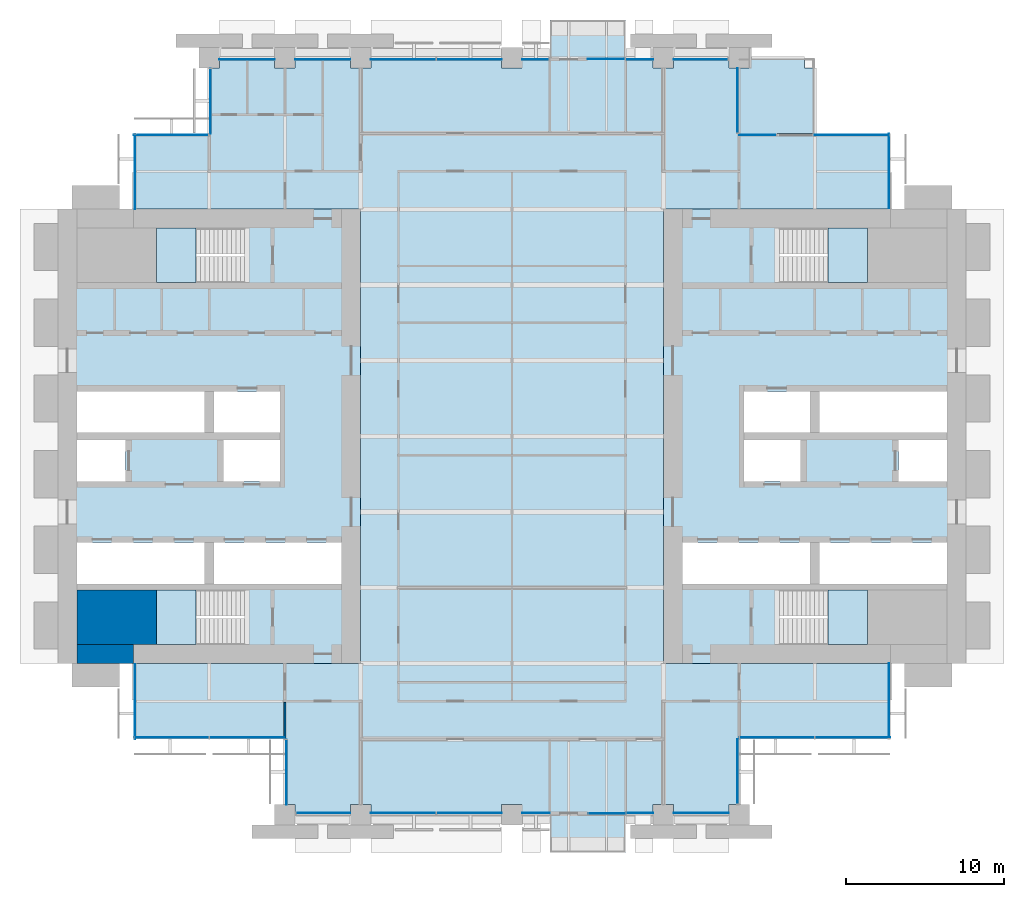
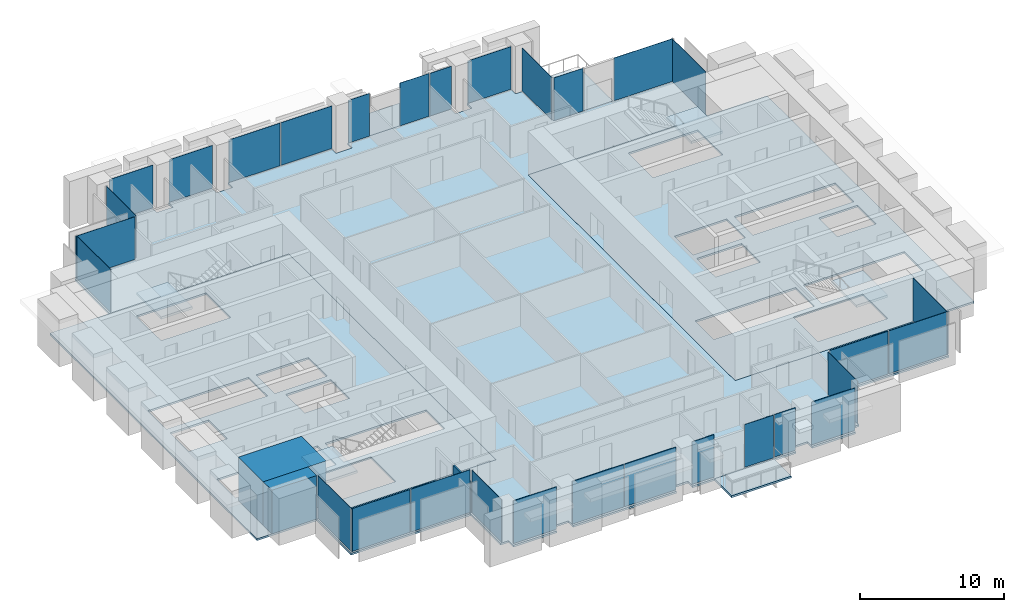
# One storey, part 8 of 15: 30 plates, 10 slabs, 3 walls, 23 elements without a shape of their own.
"""IFC4 building model written with IfcOpenShell, lengths in metres."""

from ifc_helpers import new_model, si_unit, direction, frame, frame_2d, origin, origin_2d, place, context, subcontext, project, spatial, polyline, rectangle, outline, extrude, material, layer, layer_set, type_object, element, aggregate, save


model = new_model("IFC4")

# Units and contexts
model_context = context("Model", 3, precision=1e-05, world=origin(), true_north=direction((0.0, 1.0)))
body_context = subcontext(model_context, "Body", "Model", "MODEL_VIEW")
ifc_project = project(units=[si_unit("LENGTHUNIT", "METRE"), si_unit("AREAUNIT", "SQUARE_METRE"), si_unit("VOLUMEUNIT", "CUBIC_METRE"), si_unit("PLANEANGLEUNIT", "RADIAN"), si_unit("MASSUNIT", "GRAM", prefix="KILO")], contexts=[model_context])

# Site, building, storey
site_placement = place(None, origin())
site = spatial("IfcSite", under=ifc_project, at=site_placement, CompositionType="ELEMENT")
building_placement = place(site_placement, origin())
building = spatial("IfcBuilding", under=site, at=building_placement, Name="Baori Bourse Tower", CompositionType="ELEMENT")
storey_placement = place(building_placement, frame((0.0, 0.0, 83.0)))
storey = spatial("IfcBuildingStorey", under=building, at=storey_placement, Name="L18", CompositionType="ELEMENT", Elevation=83.0)

# Slabs
ifc_material_1 = material(Name="Concrete f'c 40 MPa", Category="concrete")
ifc_layer_1 = layer(ifc_material_1, 0.159912109375)
ifc_layer_set_1 = layer_set([ifc_layer_1], Name="BL2 Balcony slab 160")
slab_type_1 = type_object("IfcSlabType", Name="BL2 Balcony slab 160", PredefinedType="FLOOR", material=ifc_layer_set_1)
slab_1_placement = place(storey_placement, frame((0.0, 0.0, -0.159912109375)))
element("IfcSlab", 1, at=slab_1_placement, inside=storey, type_object=slab_type_1, Name="Balcony slab L18 S", PredefinedType="FLOOR", context=body_context, shape_type="SweptSolid", body=[
    extrude(outline(polyline([(31.199951171875, 0.0), (31.199951171875, -2.39990234375), (36.0, -2.39990234375), (36.0, 0.0), (31.199951171875, 0.0)])), origin(), (0.0, 0.0, 1.0), 0.159912109375),
])
slab_2_placement = place(storey_placement, frame((0.0, 0.0, -0.159912109375)))
element("IfcSlab", 2, at=slab_2_placement, inside=storey, type_object=slab_type_1, Name="Balcony slab L18 N", PredefinedType="FLOOR", context=body_context, shape_type="SweptSolid", body=[
    extrude(outline(polyline([(31.199951171875, 48.0), (36.0, 48.0), (36.0, 50.39990234375), (31.199951171875, 50.39990234375), (31.199951171875, 48.0)])), origin(), (0.0, 0.0, 1.0), 0.159912109375),
])

# Curtain wall, plates
ifc_material_2 = material(Name="Pale anodised aluminium", Category="aluminium")
curtain_wall_type_1 = type_object("IfcCurtainWallType", Name="CW1 Curtain wall", PredefinedType="NOTDEFINED", material=ifc_material_2)
curtain_wall_1_placement = place(storey_placement, origin())
curtain_wall_1 = element("IfcCurtainWall", 3, at=curtain_wall_1_placement, inside=storey, type_object=curtain_wall_type_1, Name="Curtain wall CW1 L18 5", PredefinedType="NOTDEFINED")
ifc_material_3 = material(Name="Clear glass", Category="glass")
ifc_layer_2 = layer(ifc_material_3, 0.033935546875)
ifc_layer_set_2 = layer_set([ifc_layer_2], Name="CW1 Curtain wall panel")
plate_type_1 = type_object("IfcPlateType", Name="CW1 Curtain wall panel", PredefinedType="CURTAIN_PANEL", material=ifc_layer_set_2)
plate_1_placement = place(storey_placement, frame((40.77001953125, 47.89990234375, 0.079833984375), z_axis=(0.0, 0.0, 1.0), x_axis=(-1.0, 0.0, 0.0)))
plate_1 = element("IfcPlate", 4, at=plate_1_placement, type_object=plate_type_1, Name="Curtain wall CW1 panel", PredefinedType="CURTAIN_PANEL", context=body_context, shape_type="SweptSolid", body=[
    extrude(rectangle(XDim=3.43994140625, YDim=0.033935546875, at=origin_2d()), origin(), (0.0, 0.0, 1.0), 3.6201171875),
])
plate_2_placement = place(storey_placement, frame((36.875, 47.89990234375, 0.079833984375), z_axis=(0.0, 0.0, 1.0), x_axis=(-1.0, 0.0, 0.0)))
plate_2 = element("IfcPlate", 5, at=plate_2_placement, type_object=plate_type_1, Name="Curtain wall CW1 panel", PredefinedType="CURTAIN_PANEL", context=body_context, shape_type="SweptSolid", body=[
    extrude(rectangle(XDim=1.75, YDim=0.033935546875, at=origin_2d()), origin(), (0.0, 0.0, 1.0), 3.6201171875),
])
aggregate(curtain_wall_1, [plate_1, plate_2])

curtain_wall_2_placement = place(storey_placement, origin())
curtain_wall_2 = element("IfcCurtainWall", 6, at=curtain_wall_2_placement, inside=storey, type_object=curtain_wall_type_1, Name="Curtain wall CW1 L18 7", PredefinedType="NOTDEFINED")
plate_3_placement = place(storey_placement, frame((30.294921875, 47.89990234375, 0.079833984375), z_axis=(0.0, 0.0, 1.0), x_axis=(-1.0, 0.0, 0.0)))
plate_3 = element("IfcPlate", 7, at=plate_3_placement, type_object=plate_type_1, Name="Curtain wall CW1 panel", PredefinedType="CURTAIN_PANEL", context=body_context, shape_type="SweptSolid", body=[
    extrude(rectangle(XDim=1.68994140625, YDim=0.033935546875, at=origin_2d()), origin(), (0.0, 0.0, 1.0), 3.6201171875),
])
plate_4_placement = place(storey_placement, frame((26.090087890625, 47.89990234375, 0.079833984375), z_axis=(0.0, 0.0, 1.0), x_axis=(-1.0, 0.0, 0.0)))
plate_4 = element("IfcPlate", 8, at=plate_4_placement, type_object=plate_type_1, Name="Curtain wall CW1 panel", PredefinedType="CURTAIN_PANEL", context=body_context, shape_type="SweptSolid", body=[
    extrude(rectangle(XDim=4.1201171875, YDim=0.033935546875, at=origin_2d()), origin(), (0.0, 0.0, 1.0), 3.6201171875),
])
plate_5_placement = place(storey_placement, frame((21.909912109375, 47.89990234375, 0.079833984375), z_axis=(0.0, 0.0, 1.0), x_axis=(-1.0, 0.0, 0.0)))
plate_5 = element("IfcPlate", 9, at=plate_5_placement, type_object=plate_type_1, Name="Curtain wall CW1 panel", PredefinedType="CURTAIN_PANEL", context=body_context, shape_type="SweptSolid", body=[
    extrude(rectangle(XDim=4.1201171875, YDim=0.033935546875, at=origin_2d()), origin(), (0.0, 0.0, 1.0), 3.6201171875),
])
plate_6_placement = place(storey_placement, frame((16.800048828125, 47.89990234375, 0.079833984375), z_axis=(0.0, 0.0, 1.0), x_axis=(-1.0, 0.0, 0.0)))
plate_6 = element("IfcPlate", 10, at=plate_6_placement, type_object=plate_type_1, Name="Curtain wall CW1 panel", PredefinedType="CURTAIN_PANEL", context=body_context, shape_type="SweptSolid", body=[
    extrude(rectangle(XDim=3.5, YDim=0.033935546875, at=origin_2d()), origin(), (0.0, 0.0, 1.0), 3.6201171875),
])
plate_7_placement = place(storey_placement, frame((12.0, 47.89990234375, 0.079833984375), z_axis=(0.0, 0.0, 1.0), x_axis=(-1.0, 0.0, 0.0)))
plate_7 = element("IfcPlate", 11, at=plate_7_placement, type_object=plate_type_1, Name="Curtain wall CW1 panel", PredefinedType="CURTAIN_PANEL", context=body_context, shape_type="SweptSolid", body=[
    extrude(rectangle(XDim=3.5, YDim=0.033935546875, at=origin_2d()), origin(), (0.0, 0.0, 1.0), 3.6201171875),
])
aggregate(curtain_wall_2, [plate_3, plate_4, plate_5, plate_6, plate_7])

curtain_wall_3_placement = place(storey_placement, origin())
curtain_wall_3 = element("IfcCurtainWall", 12, at=curtain_wall_3_placement, inside=storey, type_object=curtain_wall_type_1, Name="Curtain wall CW1 L18 14", PredefinedType="NOTDEFINED")
plate_8_placement = place(storey_placement, frame((16.830078125, 0.10009765625, 0.079833984375), z_axis=(0.0, 0.0, 1.0), x_axis=(1.0, 0.0, 0.0)))
plate_8 = element("IfcPlate", 13, at=plate_8_placement, type_object=plate_type_1, Name="Curtain wall CW1 panel", PredefinedType="CURTAIN_PANEL", context=body_context, shape_type="SweptSolid", body=[
    extrude(rectangle(XDim=3.43994140625, YDim=0.033935546875, at=origin_2d()), origin(), (0.0, 0.0, 1.0), 3.6201171875),
])
plate_9_placement = place(storey_placement, frame((21.909912109375, 0.10009765625, 0.079833984375), z_axis=(0.0, 0.0, 1.0), x_axis=(1.0, 0.0, 0.0)))
plate_9 = element("IfcPlate", 14, at=plate_9_placement, type_object=plate_type_1, Name="Curtain wall CW1 panel", PredefinedType="CURTAIN_PANEL", context=body_context, shape_type="SweptSolid", body=[
    extrude(rectangle(XDim=4.1201171875, YDim=0.033935546875, at=origin_2d()), origin(), (0.0, 0.0, 1.0), 3.6201171875),
])
plate_10_placement = place(storey_placement, frame((26.090087890625, 0.10009765625, 0.079833984375), z_axis=(0.0, 0.0, 1.0), x_axis=(1.0, 0.0, 0.0)))
plate_10 = element("IfcPlate", 15, at=plate_10_placement, type_object=plate_type_1, Name="Curtain wall CW1 panel", PredefinedType="CURTAIN_PANEL", context=body_context, shape_type="SweptSolid", body=[
    extrude(rectangle(XDim=4.1201171875, YDim=0.033935546875, at=origin_2d()), origin(), (0.0, 0.0, 1.0), 3.6201171875),
])
plate_11_placement = place(storey_placement, frame((30.324951171875, 0.10009765625, 0.079833984375), z_axis=(0.0, 0.0, 1.0), x_axis=(1.0, 0.0, 0.0)))
plate_11 = element("IfcPlate", 16, at=plate_11_placement, type_object=plate_type_1, Name="Curtain wall CW1 panel", PredefinedType="CURTAIN_PANEL", context=body_context, shape_type="SweptSolid", body=[
    extrude(rectangle(XDim=1.75, YDim=0.033935546875, at=origin_2d()), origin(), (0.0, 0.0, 1.0), 3.6201171875),
])
aggregate(curtain_wall_3, [plate_8, plate_9, plate_10, plate_11])

curtain_wall_4_placement = place(storey_placement, origin())
curtain_wall_4 = element("IfcCurtainWall", 17, at=curtain_wall_4_placement, inside=storey, type_object=curtain_wall_type_1, Name="Curtain wall CW1 L18 16", PredefinedType="NOTDEFINED")
plate_12_placement = place(storey_placement, frame((36.905029296875, 0.10009765625, 0.079833984375), z_axis=(0.0, 0.0, 1.0), x_axis=(1.0, 0.0, 0.0)))
plate_12 = element("IfcPlate", 18, at=plate_12_placement, type_object=plate_type_1, Name="Curtain wall CW1 panel", PredefinedType="CURTAIN_PANEL", context=body_context, shape_type="SweptSolid", body=[
    extrude(rectangle(XDim=1.68994140625, YDim=0.033935546875, at=origin_2d()), origin(), (0.0, 0.0, 1.0), 3.6201171875),
])
plate_13_placement = place(storey_placement, frame((40.800048828125, 0.10009765625, 0.079833984375), z_axis=(0.0, 0.0, 1.0), x_axis=(1.0, 0.0, 0.0)))
plate_13 = element("IfcPlate", 19, at=plate_13_placement, type_object=plate_type_1, Name="Curtain wall CW1 panel", PredefinedType="CURTAIN_PANEL", context=body_context, shape_type="SweptSolid", body=[
    extrude(rectangle(XDim=3.5, YDim=0.033935546875, at=origin_2d()), origin(), (0.0, 0.0, 1.0), 3.6201171875),
])
aggregate(curtain_wall_4, [plate_12, plate_13])

# Curtain wall, plate
ifc_material_4 = material(Name="Pale anodised aluminium", Category="aluminium")
curtain_wall_type_2 = type_object("IfcCurtainWallType", Name="CW2 Curtain wall", PredefinedType="NOTDEFINED", material=ifc_material_4)
curtain_wall_5_placement = place(storey_placement, origin())
curtain_wall_5 = element("IfcCurtainWall", 20, at=curtain_wall_5_placement, inside=storey, type_object=curtain_wall_type_2, Name="Curtain wall CW2 L18 1", PredefinedType="NOTDEFINED")
ifc_material_5 = material(Name="Clear glass", Category="glass")
ifc_layer_3 = layer(ifc_material_5, 0.030029296875)
ifc_layer_set_3 = layer_set([ifc_layer_3], Name="CW2 Curtain wall panel")
plate_type_2 = type_object("IfcPlateType", Name="CW2 Curtain wall panel", PredefinedType="CURTAIN_PANEL", material=ifc_layer_set_3)
plate_14_placement = place(storey_placement, frame((52.7099609375, 40.827392578125, 0.070068359375), z_axis=(0.0, 0.0, 1.0), x_axis=(0.0, 1.0, 0.0)))
plate_14 = element("IfcPlate", 21, at=plate_14_placement, type_object=plate_type_2, Name="Curtain wall CW2 panel", PredefinedType="CURTAIN_PANEL", context=body_context, shape_type="SweptSolid", body=[
    extrude(rectangle(XDim=4.7451171875, YDim=0.030029296875, at=origin_2d()), origin(), (0.0, 0.0, 1.0), 3.6298828125),
])
aggregate(curtain_wall_5, [plate_14])

curtain_wall_6_placement = place(storey_placement, origin())
curtain_wall_6 = element("IfcCurtainWall", 22, at=curtain_wall_6_placement, inside=storey, type_object=curtain_wall_type_2, Name="Curtain wall CW2 L18 2", PredefinedType="NOTDEFINED")
plate_15_placement = place(storey_placement, frame((50.37255859375, 43.110107421875, 0.070068359375), z_axis=(0.0, 0.0, 1.0), x_axis=(-1.0, 0.0, 0.0)))
plate_15 = element("IfcPlate", 23, at=plate_15_placement, type_object=plate_type_2, Name="Curtain wall CW2 panel", PredefinedType="CURTAIN_PANEL", context=body_context, shape_type="SweptSolid", body=[
    extrude(rectangle(XDim=4.7451171875, YDim=0.030029296875, at=origin_2d()), origin(), (0.0, 0.0, 1.0), 3.6298828125),
])
aggregate(curtain_wall_6, [plate_15])

curtain_wall_7_placement = place(storey_placement, origin())
curtain_wall_7 = element("IfcCurtainWall", 24, at=curtain_wall_7_placement, inside=storey, type_object=curtain_wall_type_2, Name="Curtain wall CW2 L18 3", PredefinedType="NOTDEFINED")
plate_16_placement = place(storey_placement, frame((44.37255859375, 43.110107421875, 0.070068359375), z_axis=(0.0, 0.0, 1.0), x_axis=(-1.0, 0.0, 0.0)))
plate_16 = element("IfcPlate", 25, at=plate_16_placement, type_object=plate_type_2, Name="Curtain wall CW2 panel", PredefinedType="CURTAIN_PANEL", context=body_context, shape_type="SweptSolid", body=[
    extrude(rectangle(XDim=2.344970703125, YDim=0.030029296875, at=origin_2d()), origin(), (0.0, 0.0, 1.0), 3.6298828125),
])
aggregate(curtain_wall_7, [plate_16])

curtain_wall_8_placement = place(storey_placement, origin())
curtain_wall_8 = element("IfcCurtainWall", 26, at=curtain_wall_8_placement, inside=storey, type_object=curtain_wall_type_2, Name="Curtain wall CW2 L18 4", PredefinedType="NOTDEFINED")
plate_17_placement = place(storey_placement, frame((43.110107421875, 45.302490234375, 0.070068359375), z_axis=(0.0, 0.0, 1.0), x_axis=(0.0, 1.0, 0.0)))
plate_17 = element("IfcPlate", 27, at=plate_17_placement, type_object=plate_type_2, Name="Curtain wall CW2 panel", PredefinedType="CURTAIN_PANEL", context=body_context, shape_type="SweptSolid", body=[
    extrude(rectangle(XDim=4.094970703125, YDim=0.030029296875, at=origin_2d()), origin(), (0.0, 0.0, 1.0), 3.6298828125),
])
aggregate(curtain_wall_8, [plate_17])

curtain_wall_9_placement = place(storey_placement, origin())
curtain_wall_9 = element("IfcCurtainWall", 28, at=curtain_wall_9_placement, inside=storey, type_object=curtain_wall_type_2, Name="Curtain wall CW2 L18 8", PredefinedType="NOTDEFINED")
plate_18_placement = place(storey_placement, frame((9.68994140625, 45.24755859375, 0.070068359375), z_axis=(0.0, 0.0, 1.0), x_axis=(0.0, -1.0, 0.0)))
plate_18 = element("IfcPlate", 29, at=plate_18_placement, type_object=plate_type_2, Name="Curtain wall CW2 panel", PredefinedType="CURTAIN_PANEL", context=body_context, shape_type="SweptSolid", body=[
    extrude(rectangle(XDim=4.094970703125, YDim=0.030029296875, at=origin_2d()), origin(), (0.0, 0.0, 1.0), 3.6298828125),
])
aggregate(curtain_wall_9, [plate_18])

curtain_wall_10_placement = place(storey_placement, origin())
curtain_wall_10 = element("IfcCurtainWall", 30, at=curtain_wall_10_placement, inside=storey, type_object=curtain_wall_type_2, Name="Curtain wall CW2 L18 9", PredefinedType="NOTDEFINED")
plate_19_placement = place(storey_placement, frame((7.172607421875, 43.110107421875, 0.070068359375), z_axis=(0.0, 0.0, 1.0), x_axis=(-1.0, 0.0, 0.0)))
plate_19 = element("IfcPlate", 31, at=plate_19_placement, type_object=plate_type_2, Name="Curtain wall CW2 panel", PredefinedType="CURTAIN_PANEL", context=body_context, shape_type="SweptSolid", body=[
    extrude(rectangle(XDim=4.7451171875, YDim=0.030029296875, at=origin_2d()), origin(), (0.0, 0.0, 1.0), 3.6298828125),
])
aggregate(curtain_wall_10, [plate_19])

curtain_wall_11_placement = place(storey_placement, origin())
curtain_wall_11 = element("IfcCurtainWall", 32, at=curtain_wall_11_placement, inside=storey, type_object=curtain_wall_type_2, Name="Curtain wall CW2 L18 10", PredefinedType="NOTDEFINED")
plate_20_placement = place(storey_placement, frame((4.889892578125, 40.7724609375, 0.070068359375), z_axis=(0.0, 0.0, 1.0), x_axis=(0.0, -1.0, 0.0)))
plate_20 = element("IfcPlate", 33, at=plate_20_placement, type_object=plate_type_2, Name="Curtain wall CW2 panel", PredefinedType="CURTAIN_PANEL", context=body_context, shape_type="SweptSolid", body=[
    extrude(rectangle(XDim=4.7451171875, YDim=0.030029296875, at=origin_2d()), origin(), (0.0, 0.0, 1.0), 3.6298828125),
])
aggregate(curtain_wall_11, [plate_20])

curtain_wall_12_placement = place(storey_placement, origin())
curtain_wall_12 = element("IfcCurtainWall", 34, at=curtain_wall_12_placement, inside=storey, type_object=curtain_wall_type_2, Name="Curtain wall CW2 L18 11", PredefinedType="NOTDEFINED")
plate_21_placement = place(storey_placement, frame((4.889892578125, 7.172607421875, 0.070068359375), z_axis=(0.0, 0.0, 1.0), x_axis=(0.0, -1.0, 0.0)))
plate_21 = element("IfcPlate", 35, at=plate_21_placement, type_object=plate_type_2, Name="Curtain wall CW2 panel", PredefinedType="CURTAIN_PANEL", context=body_context, shape_type="SweptSolid", body=[
    extrude(rectangle(XDim=4.7451171875, YDim=0.030029296875, at=origin_2d()), origin(), (0.0, 0.0, 1.0), 3.6298828125),
])
aggregate(curtain_wall_12, [plate_21])

# Curtain wall, plates
curtain_wall_13_placement = place(storey_placement, origin())
curtain_wall_13 = element("IfcCurtainWall", 36, at=curtain_wall_13_placement, inside=storey, type_object=curtain_wall_type_2, Name="Curtain wall CW2 L18 12", PredefinedType="NOTDEFINED")
plate_22_placement = place(storey_placement, frame((7.2138671875, 4.889892578125, 0.070068359375), z_axis=(0.0, 0.0, 1.0), x_axis=(1.0, 0.0, 0.0)))
plate_22 = element("IfcPlate", 37, at=plate_22_placement, type_object=plate_type_2, Name="Curtain wall CW2 panel", PredefinedType="CURTAIN_PANEL", context=body_context, shape_type="SweptSolid", body=[
    extrude(rectangle(XDim=4.717529296875, YDim=0.030029296875, at=origin_2d()), origin(), (0.0, 0.0, 1.0), 3.6298828125),
])
plate_23_placement = place(storey_placement, frame((12.013671875, 4.889892578125, 0.070068359375), z_axis=(0.0, 0.0, 1.0), x_axis=(1.0, 0.0, 0.0)))
plate_23 = element("IfcPlate", 38, at=plate_23_placement, type_object=plate_type_2, Name="Curtain wall CW2 panel", PredefinedType="CURTAIN_PANEL", context=body_context, shape_type="SweptSolid", body=[
    extrude(rectangle(XDim=4.7724609375, YDim=0.030029296875, at=origin_2d()), origin(), (0.0, 0.0, 1.0), 3.6298828125),
])
aggregate(curtain_wall_13, [plate_22, plate_23])

# Curtain wall, plate
curtain_wall_14_placement = place(storey_placement, origin())
curtain_wall_14 = element("IfcCurtainWall", 39, at=curtain_wall_14_placement, inside=storey, type_object=curtain_wall_type_2, Name="Curtain wall CW2 L18 13", PredefinedType="NOTDEFINED")
plate_24_placement = place(storey_placement, frame((14.489990234375, 2.697509765625, 0.070068359375), z_axis=(0.0, 0.0, 1.0), x_axis=(0.0, -1.0, 0.0)))
plate_24 = element("IfcPlate", 40, at=plate_24_placement, type_object=plate_type_2, Name="Curtain wall CW2 panel", PredefinedType="CURTAIN_PANEL", context=body_context, shape_type="SweptSolid", body=[
    extrude(rectangle(XDim=4.094970703125, YDim=0.030029296875, at=origin_2d()), origin(), (0.0, 0.0, 1.0), 3.6298828125),
])
aggregate(curtain_wall_14, [plate_24])

curtain_wall_15_placement = place(storey_placement, origin())
curtain_wall_15 = element("IfcCurtainWall", 41, at=curtain_wall_15_placement, inside=storey, type_object=curtain_wall_type_2, Name="Curtain wall CW2 L18 17", PredefinedType="NOTDEFINED")
plate_25_placement = place(storey_placement, frame((43.110107421875, 2.75244140625, 0.070068359375), z_axis=(0.0, 0.0, 1.0), x_axis=(0.0, 1.0, 0.0)))
plate_25 = element("IfcPlate", 42, at=plate_25_placement, type_object=plate_type_2, Name="Curtain wall CW2 panel", PredefinedType="CURTAIN_PANEL", context=body_context, shape_type="SweptSolid", body=[
    extrude(rectangle(XDim=4.094970703125, YDim=0.030029296875, at=origin_2d()), origin(), (0.0, 0.0, 1.0), 3.6298828125),
])
aggregate(curtain_wall_15, [plate_25])

# Curtain wall, plates
curtain_wall_16_placement = place(storey_placement, origin())
curtain_wall_16 = element("IfcCurtainWall", 43, at=curtain_wall_16_placement, inside=storey, type_object=curtain_wall_type_2, Name="Curtain wall CW2 L18 18", PredefinedType="NOTDEFINED")
plate_26_placement = place(storey_placement, frame((45.61376953125, 4.889892578125, 0.070068359375), z_axis=(0.0, 0.0, 1.0), x_axis=(1.0, 0.0, 0.0)))
plate_26 = element("IfcPlate", 44, at=plate_26_placement, type_object=plate_type_2, Name="Curtain wall CW2 panel", PredefinedType="CURTAIN_PANEL", context=body_context, shape_type="SweptSolid", body=[
    extrude(rectangle(XDim=4.717529296875, YDim=0.030029296875, at=origin_2d()), origin(), (0.0, 0.0, 1.0), 3.6298828125),
])
plate_27_placement = place(storey_placement, frame((50.413818359375, 4.889892578125, 0.070068359375), z_axis=(0.0, 0.0, 1.0), x_axis=(1.0, 0.0, 0.0)))
plate_27 = element("IfcPlate", 45, at=plate_27_placement, type_object=plate_type_2, Name="Curtain wall CW2 panel", PredefinedType="CURTAIN_PANEL", context=body_context, shape_type="SweptSolid", body=[
    extrude(rectangle(XDim=4.7724609375, YDim=0.030029296875, at=origin_2d()), origin(), (0.0, 0.0, 1.0), 3.6298828125),
])
aggregate(curtain_wall_16, [plate_26, plate_27])

# Curtain wall, plate
curtain_wall_17_placement = place(storey_placement, origin())
curtain_wall_17 = element("IfcCurtainWall", 46, at=curtain_wall_17_placement, inside=storey, type_object=curtain_wall_type_2, Name="Curtain wall CW2 L18 19", PredefinedType="NOTDEFINED")
plate_28_placement = place(storey_placement, frame((52.7099609375, 7.2275390625, 0.070068359375), z_axis=(0.0, 0.0, 1.0), x_axis=(0.0, 1.0, 0.0)))
plate_28 = element("IfcPlate", 47, at=plate_28_placement, type_object=plate_type_2, Name="Curtain wall CW2 panel", PredefinedType="CURTAIN_PANEL", context=body_context, shape_type="SweptSolid", body=[
    extrude(rectangle(XDim=4.7451171875, YDim=0.030029296875, at=origin_2d()), origin(), (0.0, 0.0, 1.0), 3.6298828125),
])
aggregate(curtain_wall_17, [plate_28])

ifc_material_6 = material(Name="Pale anodised aluminium", Category="aluminium")
curtain_wall_type_3 = type_object("IfcCurtainWallType", Name="CW6 Curtain wall", PredefinedType="NOTDEFINED", material=ifc_material_6)
curtain_wall_18_placement = place(storey_placement, origin())
curtain_wall_18 = element("IfcCurtainWall", 48, at=curtain_wall_18_placement, inside=storey, type_object=curtain_wall_type_3, Name="Curtain wall CW6 L18 6", PredefinedType="NOTDEFINED")
ifc_material_7 = material(Name="Clear glass", Category="glass")
ifc_layer_4 = layer(ifc_material_7, 0.028076171875)
ifc_layer_set_4 = layer_set([ifc_layer_4], Name="CW6 Curtain wall panel")
plate_type_3 = type_object("IfcPlateType", Name="CW6 Curtain wall panel", PredefinedType="CURTAIN_PANEL", material=ifc_layer_set_4)
plate_29_placement = place(storey_placement, frame((34.77490234375, 47.925048828125, 0.06494140625), z_axis=(0.0, 0.0, 1.0), x_axis=(-1.0, 0.0, 0.0)))
plate_29 = element("IfcPlate", 49, at=plate_29_placement, type_object=plate_type_3, Name="Curtain wall CW6 panel", PredefinedType="CURTAIN_PANEL", context=body_context, shape_type="SweptSolid", body=[
    extrude(rectangle(XDim=2.35009765625, YDim=0.028076171875, at=origin_2d()), origin(), (0.0, 0.0, 1.0), 3.635009765625),
])
aggregate(curtain_wall_18, [plate_29])

curtain_wall_19_placement = place(storey_placement, origin())
curtain_wall_19 = element("IfcCurtainWall", 50, at=curtain_wall_19_placement, inside=storey, type_object=curtain_wall_type_3, Name="Curtain wall CW6 L18 15", PredefinedType="NOTDEFINED")
plate_30_placement = place(storey_placement, frame((34.824951171875, 0.074951171875, 0.06494140625), z_axis=(0.0, 0.0, 1.0), x_axis=(1.0, 0.0, 0.0)))
plate_30 = element("IfcPlate", 51, at=plate_30_placement, type_object=plate_type_3, Name="Curtain wall CW6 panel", PredefinedType="CURTAIN_PANEL", context=body_context, shape_type="SweptSolid", body=[
    extrude(rectangle(XDim=2.35009765625, YDim=0.028076171875, at=origin_2d()), origin(), (0.0, 0.0, 1.0), 3.635009765625),
])
aggregate(curtain_wall_19, [plate_30])

# Slabs
ifc_material_8 = material(Name="Concrete f'c 50 MPa", Category="concrete")
ifc_layer_5 = layer(ifc_material_8, 0.159912109375)
ifc_layer_set_5 = layer_set([ifc_layer_5], Name="Core slab 160")
slab_type_2 = type_object("IfcSlabType", Name="Core slab 160", PredefinedType="FLOOR", material=ifc_layer_set_5)
slab_3_placement = place(storey_placement, frame((0.0, 0.0, -0.159912109375)))
element("IfcSlab", 52, at=slab_3_placement, inside=storey, type_object=slab_type_2, Name="Core floor slab W01", PredefinedType="FLOOR", context=body_context, shape_type="SweptSolid", body=[
    extrude(outline(polyline([(19.199951171875, 9.60009765625), (19.199951171875, 38.39990234375), (0.0, 38.39990234375), (0.0, 9.60009765625), (19.199951171875, 9.60009765625)]), holes=[polyline([(9.89990234375, 14.64990234375), (9.89990234375, 17.25), (18.0, 17.25), (18.0, 14.64990234375), (9.89990234375, 14.64990234375)]), polyline([(10.5, 21.14990234375), (10.5, 23.75), (14.10009765625, 23.75), (14.10009765625, 21.14990234375), (10.5, 21.14990234375)]), polyline([(14.10009765625, 24.25), (9.89990234375, 24.25), (9.89990234375, 26.85009765625), (14.10009765625, 26.85009765625), (14.10009765625, 24.25)]), polyline([(6.25, 14.25), (11.84912109375, 14.25), (11.84912109375, 10.800048828125), (6.25, 10.800048828125), (6.25, 14.25)]), polyline([(11.84912109375, 37.199951171875), (11.84912109375, 33.75), (6.25, 33.75), (6.25, 37.199951171875), (11.84912109375, 37.199951171875)]), polyline([(1.199951171875, 26.85009765625), (9.300048828125, 26.85009765625), (9.300048828125, 24.25), (1.199951171875, 24.25), (1.199951171875, 26.85009765625)]), polyline([(9.300048828125, 14.64990234375), (1.199951171875, 14.64990234375), (1.199951171875, 17.25), (9.300048828125, 17.25), (9.300048828125, 14.64990234375)]), polyline([(4.300048828125, 23.75), (4.300048828125, 21.14990234375), (1.199951171875, 21.14990234375), (1.199951171875, 23.75), (4.300048828125, 23.75)])]), origin(), (0.0, 0.0, 1.0), 0.159912109375),
])
slab_4_placement = place(storey_placement, frame((0.0, 0.0, -0.159912109375)))
element("IfcSlab", 53, at=slab_4_placement, inside=storey, type_object=slab_type_2, Name="Core floor slab E01", PredefinedType="FLOOR", context=body_context, shape_type="SweptSolid", body=[
    extrude(outline(polyline([(38.39990234375, 9.60009765625), (57.60009765625, 9.60009765625), (57.60009765625, 38.39990234375), (38.39990234375, 38.39990234375), (38.39990234375, 9.60009765625)]), holes=[polyline([(48.300048828125, 14.64990234375), (48.300048828125, 17.25), (56.39990234375, 17.25), (56.39990234375, 14.64990234375), (48.300048828125, 14.64990234375)]), polyline([(56.39990234375, 21.14990234375), (53.300048828125, 21.14990234375), (53.300048828125, 23.75), (56.39990234375, 23.75), (56.39990234375, 21.14990234375)]), polyline([(56.39990234375, 26.85009765625), (56.39990234375, 24.25), (48.300048828125, 24.25), (48.300048828125, 26.85009765625), (56.39990234375, 26.85009765625)]), polyline([(45.750732421875, 14.25), (51.35009765625, 14.25), (51.35009765625, 10.800048828125), (45.750732421875, 10.800048828125), (45.750732421875, 14.25)]), polyline([(51.35009765625, 37.199951171875), (51.35009765625, 33.75), (45.750732421875, 33.75), (45.750732421875, 37.199951171875), (51.35009765625, 37.199951171875)]), polyline([(39.60009765625, 17.25), (47.699951171875, 17.25), (47.699951171875, 14.64990234375), (39.60009765625, 14.64990234375), (39.60009765625, 17.25)]), polyline([(43.5, 24.25), (43.5, 26.85009765625), (47.699951171875, 26.85009765625), (47.699951171875, 24.25), (43.5, 24.25)]), polyline([(43.5, 23.75), (47.10009765625, 23.75), (47.10009765625, 21.14990234375), (43.5, 21.14990234375), (43.5, 23.75)])]), origin(), (0.0, 0.0, 1.0), 0.159912109375),
])

# Stair, slab
ifc_material_9 = material(Name="Concrete f'c 50 MPa", Category="concrete")
stair_type = type_object("IfcStairType", Name="Core stair", PredefinedType="HALF_TURN_STAIR", material=ifc_material_9)
stair_1_placement = place(storey_placement, origin())
stair_1 = element("IfcStair", 54, at=stair_1_placement, inside=storey, type_object=stair_type, Name="L18 Stair WA", PredefinedType="HALF_TURN_STAIR")
ifc_material_10 = material(Name="Concrete f'c 50 MPa", Category="concrete")
slab_type_3 = type_object("IfcSlabType", Name="Core stair landing", PredefinedType="LANDING", material=ifc_material_10)
slab_5_placement = place(storey_placement, frame((0.0, 0.0, 1.800048828125)))
slab_5 = element("IfcSlab", 55, at=slab_5_placement, type_object=slab_type_3, Name="ST1 landing 1", PredefinedType="LANDING", context=body_context, shape_type="SweptSolid", body=[
    extrude(outline(polyline([(8.77001953125, 14.25), (6.25, 14.25), (6.25, 10.800048828125), (8.77001953125, 10.800048828125), (8.77001953125, 14.25)])), origin(), (0.0, 0.0, 1.0), 0.199951171875),
])
aggregate(stair_1, [slab_5])

stair_2_placement = place(storey_placement, origin())
stair_2 = element("IfcStair", 56, at=stair_2_placement, inside=storey, type_object=stair_type, Name="L18 Stair WB", PredefinedType="HALF_TURN_STAIR")
slab_6_placement = place(storey_placement, frame((0.0, 0.0, 1.800048828125)))
slab_6 = element("IfcSlab", 57, at=slab_6_placement, type_object=slab_type_3, Name="ST2 landing 1", PredefinedType="LANDING", context=body_context, shape_type="SweptSolid", body=[
    extrude(outline(polyline([(8.77001953125, 37.199951171875), (6.25, 37.199951171875), (6.25, 33.75), (8.77001953125, 33.75), (8.77001953125, 37.199951171875)])), origin(), (0.0, 0.0, 1.0), 0.199951171875),
])
aggregate(stair_2, [slab_6])

stair_3_placement = place(storey_placement, origin())
stair_3 = element("IfcStair", 58, at=stair_3_placement, inside=storey, type_object=stair_type, Name="L18 Stair EA", PredefinedType="HALF_TURN_STAIR")
slab_7_placement = place(storey_placement, frame((0.0, 0.0, 1.800048828125)))
slab_7 = element("IfcSlab", 59, at=slab_7_placement, type_object=slab_type_3, Name="ST3 landing 1", PredefinedType="LANDING", context=body_context, shape_type="SweptSolid", body=[
    extrude(outline(polyline([(48.830078125, 10.800048828125), (51.35009765625, 10.800048828125), (51.35009765625, 14.25), (48.830078125, 14.25), (48.830078125, 10.800048828125)])), origin(), (0.0, 0.0, 1.0), 0.199951171875),
])
aggregate(stair_3, [slab_7])

stair_4_placement = place(storey_placement, origin())
stair_4 = element("IfcStair", 60, at=stair_4_placement, inside=storey, type_object=stair_type, Name="L18 Stair EB", PredefinedType="HALF_TURN_STAIR")
slab_8_placement = place(storey_placement, frame((0.0, 0.0, 1.800048828125)))
slab_8 = element("IfcSlab", 61, at=slab_8_placement, type_object=slab_type_3, Name="ST4 landing 1", PredefinedType="LANDING", context=body_context, shape_type="SweptSolid", body=[
    extrude(outline(polyline([(48.830078125, 33.75), (51.35009765625, 33.75), (51.35009765625, 37.199951171875), (48.830078125, 37.199951171875), (48.830078125, 33.75)])), origin(), (0.0, 0.0, 1.0), 0.199951171875),
])
aggregate(stair_4, [slab_8])

# Slabs
ifc_material_11 = material(Name="Concrete f'c 40 MPa", Category="concrete")
ifc_layer_6 = layer(ifc_material_11, 0.159912109375)
ifc_layer_set_6 = layer_set([ifc_layer_6], Name="Floor slab 160")
slab_type_4 = type_object("IfcSlabType", Name="Floor slab 160", PredefinedType="FLOOR", material=ifc_layer_set_6)
slab_9_placement = place(storey_placement, frame((0.0, 0.0, -0.159912109375)))
element("IfcSlab", 62, at=slab_9_placement, inside=storey, type_object=slab_type_4, Name="Floor slab L18", PredefinedType="FLOOR", context=body_context, shape_type="SweptSolid", body=[
    extrude(outline(polyline([(14.39990234375, 4.800048828125), (4.800048828125, 4.800048828125), (4.800048828125, 9.60009765625), (19.199951171875, 9.60009765625), (19.199951171875, 38.39990234375), (4.800048828125, 38.39990234375), (4.800048828125, 43.199951171875), (9.60009765625, 43.199951171875), (9.60009765625, 47.35009765625), (10.25, 47.35009765625), (10.25, 48.0), (13.75, 48.0), (13.75, 47.35009765625), (15.050048828125, 47.35009765625), (15.050048828125, 48.0), (18.550048828125, 48.0), (18.550048828125, 47.35009765625), (19.85009765625, 47.35009765625), (19.85009765625, 48.0), (28.14990234375, 48.0), (28.14990234375, 47.35009765625), (29.449951171875, 47.35009765625), (29.449951171875, 48.0), (37.75, 48.0), (37.75, 47.35009765625), (39.050048828125, 47.35009765625), (39.050048828125, 48.0), (42.550048828125, 48.0), (42.550048828125, 47.35009765625), (43.199951171875, 47.35009765625), (43.199951171875, 43.199951171875), (52.800048828125, 43.199951171875), (52.800048828125, 38.39990234375), (38.39990234375, 38.39990234375), (38.39990234375, 9.60009765625), (52.800048828125, 9.60009765625), (52.800048828125, 4.800048828125), (43.199951171875, 4.800048828125), (43.199951171875, 0.64990234375), (42.550048828125, 0.64990234375), (42.550048828125, 0.0), (39.050048828125, 0.0), (39.050048828125, 0.64990234375), (37.75, 0.64990234375), (37.75, 0.0), (29.449951171875, 0.0), (29.449951171875, 0.64990234375), (28.14990234375, 0.64990234375), (28.14990234375, 0.0), (19.85009765625, 0.0), (19.85009765625, 0.64990234375), (18.550048828125, 0.64990234375), (18.550048828125, 0.0), (15.050048828125, 0.0), (15.050048828125, 0.64990234375), (14.39990234375, 0.64990234375), (14.39990234375, 4.800048828125)])), origin(), (0.0, 0.0, 1.0), 0.159912109375),
])
ifc_material_12 = material(Name="Concrete f'c 40 MPa", Category="concrete")
ifc_layer_7 = layer(ifc_material_12, 0.159912109375)
ifc_layer_set_7 = layer_set([ifc_layer_7], Name="Terrace slab 160")
slab_type_5 = type_object("IfcSlabType", Name="Terrace slab 160", PredefinedType="ROOF", material=ifc_layer_set_7)
slab_10_placement = place(storey_placement, frame((0.0, 0.0, -0.159912109375)))
element("IfcSlab", 63, at=slab_10_placement, inside=storey, type_object=slab_type_5, Name="Terrace slab NE L18", PredefinedType="ROOF", context=body_context, shape_type="SweptSolid", body=[
    extrude(outline(polyline([(43.202880859375, 47.35009765625), (43.85009765625, 47.35009765625), (43.85009765625, 47.9970703125), (47.35009765625, 47.9970703125), (47.35009765625, 47.35009765625), (47.9970703125, 47.35009765625), (47.9970703125, 43.202880859375), (43.202880859375, 43.202880859375), (43.202880859375, 47.35009765625)])), origin(), (0.0, 0.0, 1.0), 0.159912109375),
])

# Walls
ifc_material_13 = material(Name="Concrete f'c 70 MPa", Category="concrete")
wall_type_1 = type_object("IfcWallType", Name="Core corner block f'c 70", PredefinedType="SHEAR", material=ifc_material_13)
wall_1_placement = place(storey_placement, frame((1.199951171875, 12.52490234375, 0.0), z_axis=(0.0, 0.0, 1.0), x_axis=(1.0, 0.0, 0.0)))
element("IfcWall", 64, at=wall_1_placement, inside=storey, type_object=wall_type_1, Name="Core wall W05", PredefinedType="SHEAR", context=body_context, shape_type="SweptSolid", body=[
    extrude(rectangle(XDim=5.050048828125, YDim=3.449951171875, at=frame_2d((2.52490234375, 0.0))), origin(), (0.0, 0.0, 1.0), 3.699951171875),
])
ifc_material_14 = material(Name="Concrete f'c 70 MPa", Category="concrete")
ifc_layer_8 = layer(ifc_material_14, 1.199951171875)
ifc_layer_set_8 = layer_set([ifc_layer_8], Name="Core wall 1200 f'c 70")
wall_type_2 = type_object("IfcWallType", Name="Core wall 1200 f'c 70", PredefinedType="SHEAR", material=ifc_layer_set_8)
wall_2_placement = place(storey_placement, frame((4.800048828125, 10.199951171875, 0.0), z_axis=(0.0, 0.0, 1.0), x_axis=(-1.0, 0.0, 0.0)))
element("IfcWall", 65, at=wall_2_placement, inside=storey, type_object=wall_type_2, Name="Core wall W02", PredefinedType="SHEAR", context=body_context, shape_type="SweptSolid", body=[
    extrude(rectangle(XDim=3.60009765625, YDim=1.199951171875, at=frame_2d((1.800048828125, 0.0))), origin(), (0.0, 0.0, 1.0), 3.699951171875),
])
ifc_material_15 = material(Name="Gypsum board partition")
ifc_layer_9 = layer(ifc_material_15, 0.125)
ifc_layer_set_9 = layer_set([ifc_layer_9], Name="Partition 125")
wall_type_3 = type_object("IfcWallType", Name="Partition 125", PredefinedType="PARTITIONING", material=ifc_layer_set_9)
wall_3_placement = place(storey_placement, frame((14.39990234375, 4.89990234375, 0.0), z_axis=(0.0, 0.0, 1.0), x_axis=(0.0, 1.0, 0.0)))
element("IfcWall", 66, at=wall_3_placement, inside=storey, type_object=wall_type_3, Name="Partition", PredefinedType="PARTITIONING", context=body_context, shape_type="SweptSolid", body=[
    extrude(rectangle(XDim=2.22509765625, YDim=0.125, at=frame_2d((1.112548828125, 0.0))), origin(), (0.0, 0.0, 1.0), 2.70947265625),
])

save(model, "model.ifc")
